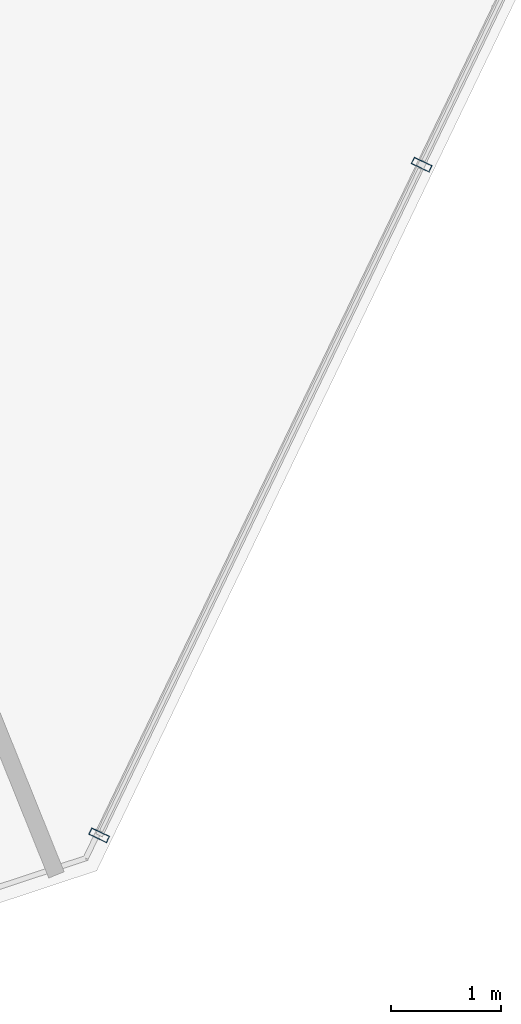
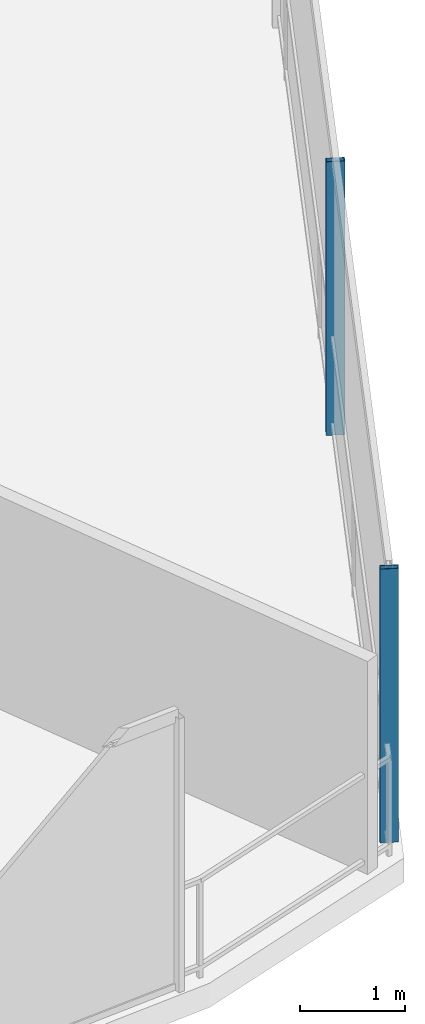
# One storey, part 10 of 30: 2 members, 1 element without a shape of its own.
"""IFC4 building model written with IfcOpenShell, lengths in metres."""

import ifcopenshell
import ifcopenshell.guid

model = None  # the IFC model being written
_history = None  # IfcOwnerHistory: only IFC2X3 demands one
_inside = {}  # id of a spatial element -> (the spatial element, [elements in it])
_under = {}  # id of a project, library or spatial element -> (it, [spatial elements below it])
_declared = {}  # id of a project -> (the project, [libraries it declares])
_typed = {}  # id of a type object -> (the type object, [elements of that type])
_made_of = {}  # id of a material, layer set ... -> (it, [elements and type objects made of it])


def new_model(schema):
    """Start an empty IFC model of exactly this schema.

    Asked for "IFC4X3", IfcOpenShell would pick the latest addendum, in which some entities
    have other attributes; the version numbers below select the first issue.
    IFC2X3 requires an IfcOwnerHistory on every rooted entity: one is made here for all.
    """
    global model, _history
    if schema == "IFC4X3":
        model = ifcopenshell.file(schema_version=(4, 3, 0, 0))
    else:
        model = ifcopenshell.file(schema=schema)
    _inside.clear()
    _under.clear()
    _declared.clear()
    _typed.clear()
    _made_of.clear()
    _history = None
    if model.schema == "IFC2X3":
        org = make("IfcOrganization", Name="unknown")
        user = make(
            "IfcPersonAndOrganization",
            ThePerson=make("IfcPerson", FamilyName="unknown"),
            TheOrganization=org,
        )
        app = make(
            "IfcApplication",
            ApplicationDeveloper=org,
            Version="unknown",
            ApplicationFullName="unknown",
            ApplicationIdentifier="unknown",
        )
        _history = make(
            "IfcOwnerHistory",
            OwningUser=user,
            OwningApplication=app,
            ChangeAction="ADDED",
            CreationDate=0,
        )
    return model


def make(cls, **values):
    """One entity of the class cls with the attributes given. An attribute that is None is left unset."""
    return model.create_entity(
        cls, **{name: value for name, value in values.items() if value is not None}
    )


def rooted(cls, **values):
    """An entity with a GlobalId (a new one), such as an element, a storey or a relation."""
    return make(cls, GlobalId=ifcopenshell.guid.new(), OwnerHistory=_history, **values)


def si_unit(unit_type, name, prefix=None):
    """IfcSIUnit, for example si_unit("LENGTHUNIT", "METRE", prefix="MILLI")."""
    return make("IfcSIUnit", UnitType=unit_type, Prefix=prefix, Name=name)


def assignment(units):
    """IfcUnitAssignment: the units of a project."""
    return None if units is None else make("IfcUnitAssignment", Units=units)


def point(xyz):
    """IfcCartesianPoint."""
    return None if xyz is None else make("IfcCartesianPoint", Coordinates=xyz)


def direction(xyz):
    """IfcDirection."""
    return None if xyz is None else make("IfcDirection", DirectionRatios=xyz)


def frame(location, z_axis=None, x_axis=None):
    """IfcAxis2Placement3D, a coordinate frame: its origin and axes. An axis left out is left unset."""
    return make(
        "IfcAxis2Placement3D",
        Location=point(location),
        Axis=direction(z_axis),
        RefDirection=direction(x_axis),
    )


def frame_2d(location, x_axis=None):
    """IfcAxis2Placement2D, a coordinate frame in the plane: its origin and x axis."""
    return make(
        "IfcAxis2Placement2D", Location=point(location), RefDirection=direction(x_axis)
    )


def origin():
    """The frame at (0, 0, 0) with its axes left unset."""
    return frame((0.0, 0.0, 0.0))


def origin_2d():
    """The frame at (0, 0) in the plane with its x axis left unset."""
    return frame_2d((0.0, 0.0))


def place(relative_to, where):
    """IfcLocalPlacement: puts the frame where relative to a parent placement (None: the world)."""
    return make(
        "IfcLocalPlacement", PlacementRelTo=relative_to, RelativePlacement=where
    )


def context(
    kind, dimensions, precision=None, world=None, true_north=None, identifier=None
):
    """IfcGeometricRepresentationContext, for example the 3D "Model" context."""
    return make(
        "IfcGeometricRepresentationContext",
        ContextIdentifier=identifier,
        ContextType=kind,
        CoordinateSpaceDimension=dimensions,
        Precision=precision,
        WorldCoordinateSystem=world,
        TrueNorth=true_north,
    )


def subcontext(parent, identifier, kind, view, scale=None):
    """IfcGeometricRepresentationSubContext, for example "Body" below "Model"."""
    return make(
        "IfcGeometricRepresentationSubContext",
        ContextIdentifier=identifier,
        ContextType=kind,
        ParentContext=parent,
        TargetScale=scale,
        TargetView=view,
    )


def project(units=None, contexts=None):
    """IfcProject with its units and contexts."""
    return rooted(
        "IfcProject",
        Name="project",
        RepresentationContexts=contexts,
        UnitsInContext=assignment(units),
    )


def spatial(cls, under=None, at=None, **own):
    """A site, building, storey or space (cls), placed at a placement, below another one or the project."""
    s = rooted(cls, ObjectPlacement=at, **own)
    if under is not None:
        _under.setdefault(under.id(), (under, []))[1].append(s)
    return s


def profile(cls, at=None, kind="AREA", **sizes):
    """A parametric profile (cls). Its sizes go by their IFC names, for example OverallWidth=200.0."""
    return make(cls, ProfileType=kind, Position=at, **sizes)


def hollow_rectangle(**sizes):
    """IfcRectangleHollowProfileDef."""
    return profile("IfcRectangleHollowProfileDef", **sizes)


def extrude(swept, where, along, depth):
    """IfcExtrudedAreaSolid: the profile swept, set in the frame where, extruded along a direction by depth."""
    return make(
        "IfcExtrudedAreaSolid",
        SweptArea=swept,
        Position=where,
        ExtrudedDirection=direction(along),
        Depth=depth,
    )


def shape(context_of_items, identifier, shape_type, items):
    """IfcShapeRepresentation: the items that make up one representation, for example the "Body"."""
    return make(
        "IfcShapeRepresentation",
        ContextOfItems=context_of_items,
        RepresentationIdentifier=identifier,
        RepresentationType=shape_type,
        Items=items,
    )


def material(Name=None, Category=None):
    """IfcMaterial."""
    return make("IfcMaterial", Name=Name, Category=Category)


def layer(
    of_material, thickness, ventilated=None, Name=None, Category=None, Priority=None
):
    """IfcMaterialLayer: one layer of a wall or slab, of a material (None: an air gap)."""
    return make(
        "IfcMaterialLayer",
        Material=of_material,
        LayerThickness=thickness,
        IsVentilated=ventilated,
        Name=Name,
        Category=Category,
        Priority=Priority,
    )


def layer_set(layers, Name=None):
    """IfcMaterialLayerSet."""
    return make("IfcMaterialLayerSet", MaterialLayers=layers, LayerSetName=Name)


def material_profile(
    of_material, cross_section, Name=None, Category=None, Priority=None
):
    """IfcMaterialProfile: a cross section and its material."""
    return make(
        "IfcMaterialProfile",
        Name=Name,
        Material=of_material,
        Profile=cross_section,
        Priority=Priority,
        Category=Category,
    )


def profile_set(profiles, Name=None, composite=None):
    """IfcMaterialProfileSet."""
    return make(
        "IfcMaterialProfileSet",
        Name=Name,
        MaterialProfiles=profiles,
        CompositeProfile=composite,
    )


def made_of(thing, what):
    """Note that an element or type object is made of a material, layer set ...; save() writes the relation."""
    if what is not None:
        _made_of.setdefault(what.id(), (what, []))[1].append(thing)
    return thing


def type_object(cls, material=None, **own):
    """A type object (cls), such as IfcWallType, which elements share."""
    return made_of(rooted(cls, **own), material)


def element(
    cls,
    number,
    at=None,
    inside=None,
    cuts=None,
    type_object=None,
    material=None,
    context=None,
    identifier="Body",
    shape_type=None,
    held_by="IfcProductDefinitionShape",
    body=None,
    shapes=None,
    **own,
):
    """One element of the class cls, such as IfcWall. Its Tag is "e" and its number.

    at: its placement. inside: the storey or other place that contains it. cuts: it is an
    opening in that element (IfcRelVoidsElement). A single representation is given by context,
    identifier, shape_type and body (its items); several are given by shapes. held_by: the class
    of the entity that holds the representations. save() writes the other relations.
    """
    e = rooted(cls, Tag="e%d" % number, ObjectPlacement=at, **own)
    if body is not None:
        shapes = [shape(context, identifier, shape_type, body)]
    if shapes is not None:
        e.Representation = make(held_by, Representations=shapes)
    if inside is not None:
        _inside.setdefault(inside.id(), (inside, []))[1].append(e)
    if cuts is not None:
        rooted(
            "IfcRelVoidsElement", RelatingBuildingElement=cuts, RelatedOpeningElement=e
        )
    if type_object is not None:
        _typed.setdefault(type_object.id(), (type_object, []))[1].append(e)
    return made_of(e, material)


def aggregate(whole, parts):
    """IfcRelAggregates: a whole, such as a stair, and the parts it consists of."""
    return rooted("IfcRelAggregates", RelatingObject=whole, RelatedObjects=parts)


def save(model, path):
    """Write the relations noted so far, then the file.

    IfcRelAggregates (storeys below a building ...), IfcRelContainedInSpatialStructure (elements
    in a storey), IfcRelDefinesByType, IfcRelAssociatesMaterial and IfcRelDeclares: one each for
    every whole, place, type object, material and project.
    """
    for whole, parts in _under.values():
        aggregate(whole, parts)
    for where, things in _inside.values():
        rooted(
            "IfcRelContainedInSpatialStructure",
            RelatedElements=things,
            RelatingStructure=where,
        )
    for kind, things in _typed.values():
        rooted("IfcRelDefinesByType", RelatedObjects=things, RelatingType=kind)
    for what, things in _made_of.values():
        rooted("IfcRelAssociatesMaterial", RelatedObjects=things, RelatingMaterial=what)
    for by, libraries in _declared.values():
        rooted("IfcRelDeclares", RelatingContext=by, RelatedDefinitions=libraries)
    model.write(path)


model = new_model("IFC4")

# Units and contexts
model_context = context("Model", 3, precision=1e-05, world=origin(), true_north=direction((0.0, 1.0)))
body_context = subcontext(model_context, "Body", "Model", "MODEL_VIEW")
ifc_project = project(units=[si_unit("LENGTHUNIT", "METRE"), si_unit("AREAUNIT", "SQUARE_METRE"), si_unit("VOLUMEUNIT", "CUBIC_METRE"), si_unit("PLANEANGLEUNIT", "RADIAN"), si_unit("MASSUNIT", "GRAM", prefix="KILO")], contexts=[model_context])

# Site, building, storey
site_placement = place(None, origin())
site = spatial("IfcSite", under=ifc_project, at=site_placement, CompositionType="ELEMENT")
building_placement = place(site_placement, origin())
building = spatial("IfcBuilding", under=site, at=building_placement, Name="Qarnah Convention Tower", CompositionType="ELEMENT")
storey_placement = place(building_placement, frame((0.0, 0.0, 83.25)))
storey = spatial("IfcBuildingStorey", under=building, at=storey_placement, Name="L21", CompositionType="ELEMENT", Elevation=83.25)

# Curtain wall, members
ifc_material_1 = material(Name="Tempered Low-E dark glass", Category="glass")
ifc_layer = layer(ifc_material_1, 0.169921875)
ifc_layer_set = layer_set([ifc_layer], Name="Tempered Low-E dark glass")
curtain_wall_type = type_object("IfcCurtainWallType", Name="CWS-02", PredefinedType="NOTDEFINED", material=ifc_layer_set)
curtain_wall_placement = place(storey_placement, origin())
curtain_wall = element("IfcCurtainWall", 1, at=curtain_wall_placement, inside=storey, type_object=curtain_wall_type, Name="L21 unitised curtain wall CW-L21-F1", PredefinedType="NOTDEFINED")
ifc_material_2 = material(Name="Black anodised aluminium", Category="aluminium")
ifc_material_profile = material_profile(ifc_material_2, hollow_rectangle(XDim=0.06494140625, YDim=0.179931640625, WallThickness=0.00390625, at=origin_2d()), Name="MUL-65X180")
ifc_profile_set = profile_set([ifc_material_profile], Name="Black anodised aluminium")
member_type = type_object("IfcMemberType", Name="MUL-T2", PredefinedType="MULLION", material=ifc_profile_set)
member_1_placement = place(storey_placement, frame((50.1201171875, 9.029052734375, 0.0), z_axis=(0.0, 0.0, 1.0), x_axis=(-0.433332348361, -0.901234195903, 0.0)))
member_1 = element("IfcMember", 2, at=member_1_placement, type_object=member_type, Name="CW-L21-F1 mullion 5", PredefinedType="MULLION", context=body_context, shape_type="SweptSolid", body=[
    extrude(hollow_rectangle(XDim=0.06494140625, YDim=0.179931640625, WallThickness=0.00390625, at=origin_2d()), origin(), (0.0, 0.0, 1.0), 3.169921875),
])
member_2_placement = place(storey_placement, frame((47.19189453125, 2.93896484375, 0.0), z_axis=(0.0, 0.0, 1.0), x_axis=(-0.433332348361, -0.901234195903, 0.0)))
member_2 = element("IfcMember", 3, at=member_2_placement, type_object=member_type, Name="CW-L21-F1 mullion 6", PredefinedType="MULLION", context=body_context, shape_type="SweptSolid", body=[
    extrude(hollow_rectangle(XDim=0.06494140625, YDim=0.179931640625, WallThickness=0.00390625, at=origin_2d()), origin(), (0.0, 0.0, 1.0), 3.169921875),
])
aggregate(curtain_wall, [member_1, member_2])

save(model, "model.ifc")
